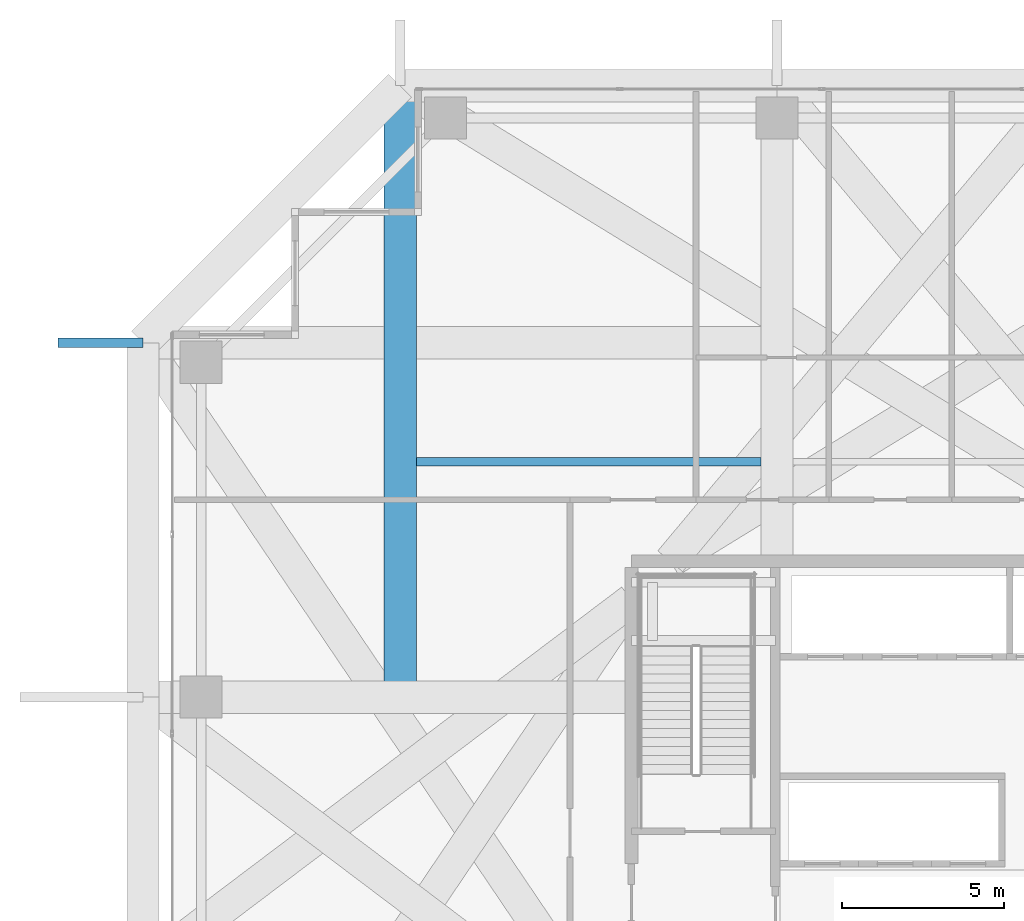
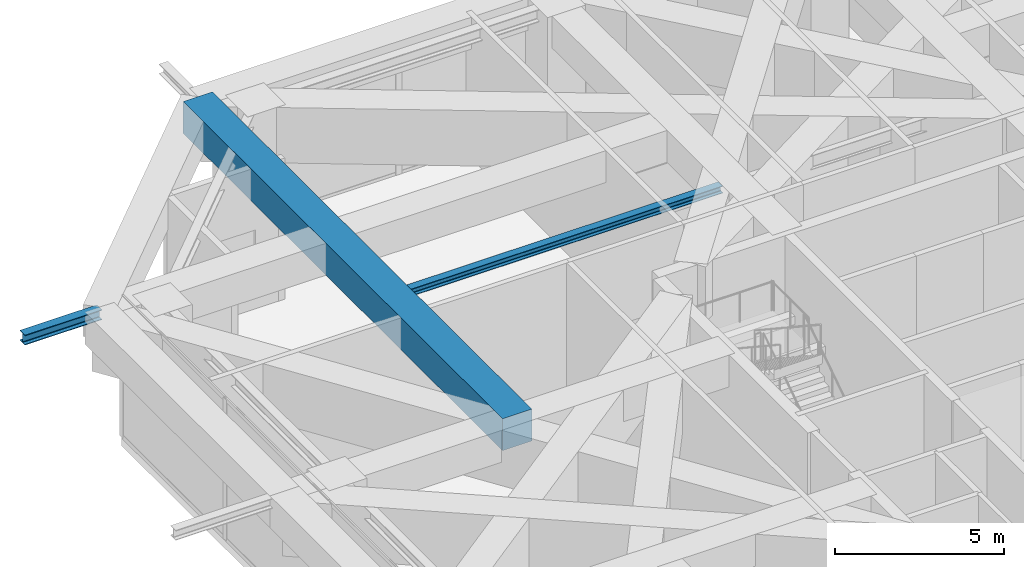
# One storey, part 17 of 38: 3 beams.
"""IFC4 building model written with IfcOpenShell, lengths in metres."""

from ifc_helpers import new_model, si_unit, direction, frame, origin, origin_2d, place, context, subcontext, project, spatial, rectangle, i_section, extrude, source, transform, mapped, material, material_profile, profile_set, type_object, element, save


model = new_model("IFC4")

# Units and contexts
model_context = context("Model", 3, precision=1e-05, world=origin(), true_north=direction((0.0, 1.0)))
body_context = subcontext(model_context, "Body", "Model", "MODEL_VIEW")
ifc_project = project(units=[si_unit("LENGTHUNIT", "METRE"), si_unit("AREAUNIT", "SQUARE_METRE"), si_unit("VOLUMEUNIT", "CUBIC_METRE"), si_unit("PLANEANGLEUNIT", "RADIAN"), si_unit("MASSUNIT", "GRAM", prefix="KILO")], contexts=[model_context])

# Site, building, storey
site_placement = place(None, origin())
site = spatial("IfcSite", under=ifc_project, at=site_placement, CompositionType="ELEMENT")
building_placement = place(site_placement, origin())
building = spatial("IfcBuilding", under=site, at=building_placement, Name="Serunith Strait Residences", CompositionType="ELEMENT")
storey_placement = place(building_placement, frame((0.0, 0.0, 204.89990234375)))
storey = spatial("IfcBuildingStorey", under=building, at=storey_placement, Name="L51", CompositionType="ELEMENT", Elevation=204.89990234375)

# Beams
ifc_material_1 = material(Name="Concrete C80/95", Category="concrete")
ifc_material_profile_1 = material_profile(ifc_material_1, rectangle(XDim=1.0, YDim=1.14990234375, at=origin_2d()), Name="RC 1000x1150")
ifc_profile_set_1 = profile_set([ifc_material_profile_1], Name="Concrete C80/95")
beam_type_1 = type_object("IfcBeamType", Name="BM-XFER-1000x1150", PredefinedType="BEAM", material=ifc_profile_set_1)
shared_shape_1 = source(origin(), body_context, "Body", "SweptSolid", [
    extrude(rectangle(XDim=1.0, YDim=1.14990234375, at=origin_2d()), origin(), (0.0, 0.0, 1.0), 18.900146484375),
])
beam_1_placement = place(storey_placement, frame((16.25, 29.39990234375, 4.53515625), z_axis=(0.0, 1.0, 0.0), x_axis=(-1.0, 0.0, 0.0)))
element("IfcBeam", 1, at=beam_1_placement, inside=storey, type_object=beam_type_1, Name="L51 Orthogonal Corner Girder TC-N1", PredefinedType="BEAM", context=body_context, shape_type="MappedRepresentation", body=[
    mapped(shared_shape_1, transform((0.0, 0.0, 0.0), scale=1.0)),
])
ifc_material_2 = material(Name="Steel S355J2", Category="steel")
ifc_material_profile_2 = material_profile(ifc_material_2, i_section(OverallWidth=0.260009765625, OverallDepth=0.260009765625, WebThickness=0.010009765625, FlangeThickness=0.017578125, FilletRadius=0.02392578125, at=origin_2d()), Name="HEB 260")
ifc_profile_set_2 = profile_set([ifc_material_profile_2], Name="Steel S355J2")
beam_type_2 = type_object("IfcBeamType", Name="BM-HEB260", PredefinedType="JOIST", material=ifc_profile_set_2)
shared_shape_2 = source(origin(), body_context, "Body", "SweptSolid", [
    extrude(i_section(OverallWidth=0.260009765625, OverallDepth=0.260009765625, WebThickness=0.010009765625, FlangeThickness=0.017578125, FilletRadius=0.02392578125, at=origin_2d()), origin(), (0.0, 0.0, 1.0), 10.64990234375),
])
beam_2_placement = place(storey_placement, frame((16.75, 36.675048828125, 4.97705078125), z_axis=(1.0, 0.0, 0.0), x_axis=(0.0, 1.0, 0.0)))
element("IfcBeam", 2, at=beam_2_placement, inside=storey, type_object=beam_type_2, Name="L51 Composite Floor Joist 04", PredefinedType="JOIST", context=body_context, shape_type="MappedRepresentation", body=[
    mapped(shared_shape_2, transform((0.0, 0.0, 0.0), scale=1.0)),
])
ifc_material_profile_3 = material_profile(ifc_material_2, i_section(OverallWidth=0.300048828125, OverallDepth=0.360107421875, WebThickness=0.012451171875, FlangeThickness=0.0224609375, FilletRadius=0.027099609375, at=origin_2d()), Name="HEB 360")
ifc_profile_set_3 = profile_set([ifc_material_profile_3], Name="Steel S355J2")
beam_type_3 = type_object("IfcBeamType", Name="BM-HEB360", PredefinedType="BEAM", material=ifc_profile_set_3)
shared_shape_3 = source(origin(), body_context, "Body", "SweptSolid", [
    extrude(i_section(OverallWidth=0.300048828125, OverallDepth=0.360107421875, WebThickness=0.012451171875, FlangeThickness=0.0224609375, FilletRadius=0.027099609375, at=origin_2d()), origin(), (0.0, 0.0, 1.0), 2.626220703125),
])
beam_3_placement = place(storey_placement, frame((8.300048828125, 40.35009765625, 4.927001953125), z_axis=(-1.0, 0.0, 0.0), x_axis=(0.0, -1.0, 0.0)))
element("IfcBeam", 3, at=beam_3_placement, inside=storey, type_object=beam_type_3, Name="L52 Cantilevered Balcony Rib TC-W4", PredefinedType="BEAM", context=body_context, shape_type="MappedRepresentation", body=[
    mapped(shared_shape_3, transform((0.0, 0.0, 0.0), scale=1.0)),
])

save(model, "model.ifc")
